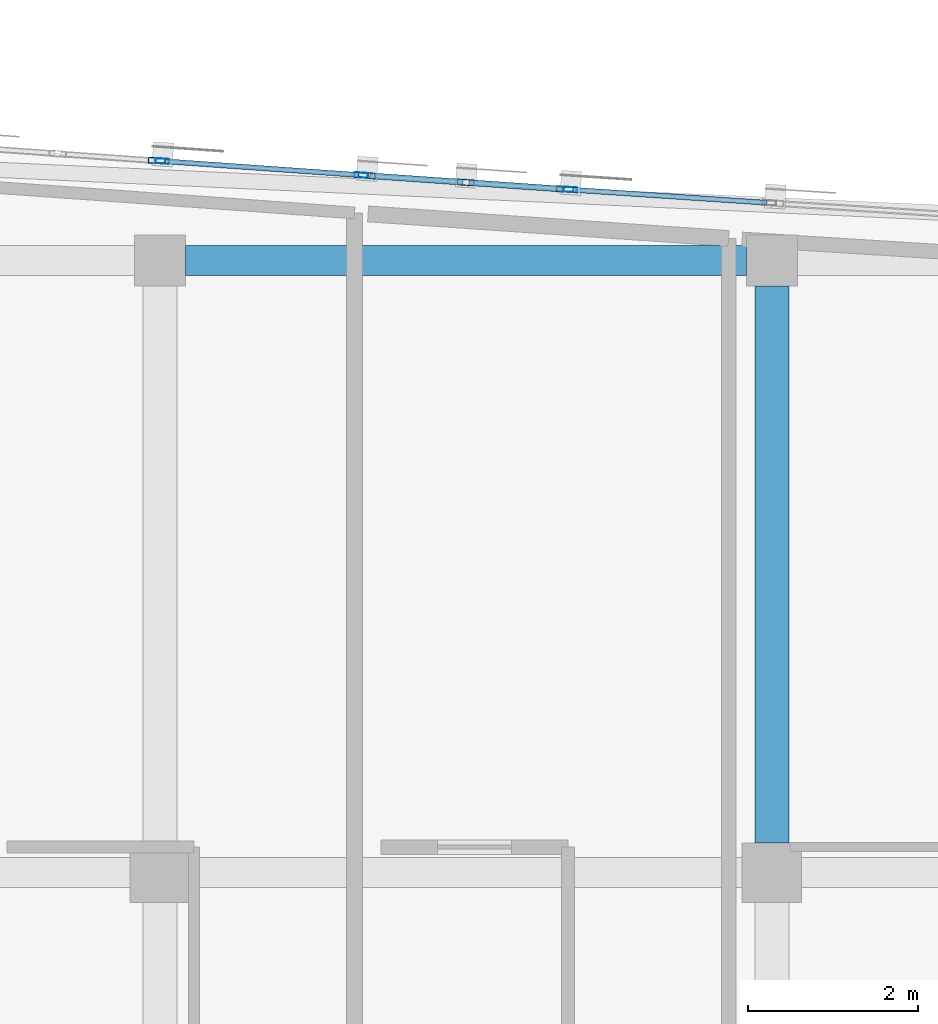
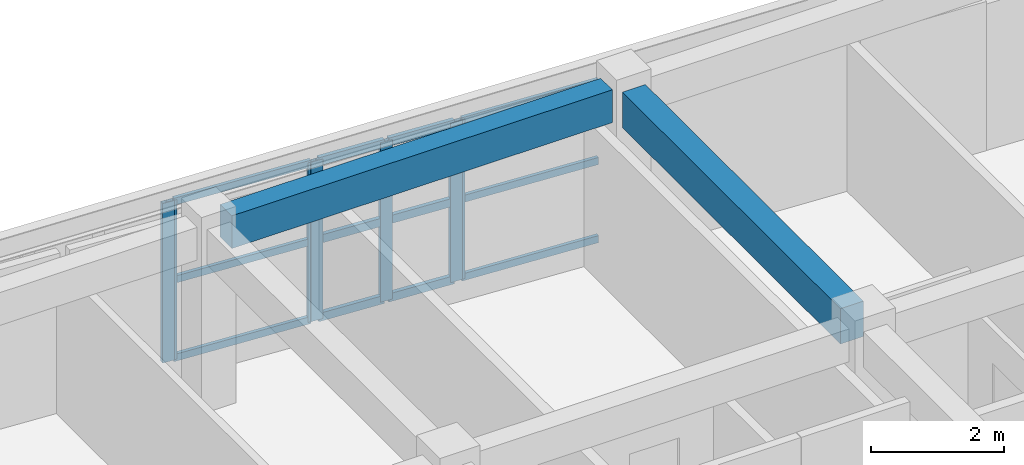
# One storey, part 26 of 48: 19 members, 2 beams, 4 elements without a shape of their own.
"""IFC4 building model written with IfcOpenShell, lengths in metres."""

from ifc_helpers import new_model, si_unit, direction, frame, origin, origin_2d, place, context, subcontext, project, spatial, rectangle, hollow_rectangle, extrude, material, layer, layer_set, material_profile, profile_set, type_object, element, aggregate, save


model = new_model("IFC4")

# Units and contexts
model_context = context("Model", 3, precision=1e-05, world=origin(), true_north=direction((0.0, 1.0)))
body_context = subcontext(model_context, "Body", "Model", "MODEL_VIEW")
ifc_project = project(units=[si_unit("LENGTHUNIT", "METRE"), si_unit("AREAUNIT", "SQUARE_METRE"), si_unit("VOLUMEUNIT", "CUBIC_METRE"), si_unit("PLANEANGLEUNIT", "RADIAN"), si_unit("MASSUNIT", "GRAM", prefix="KILO")], contexts=[model_context])

# Site, building, storey
site_placement = place(None, origin())
site = spatial("IfcSite", under=ifc_project, at=site_placement, CompositionType="ELEMENT")
building_placement = place(site_placement, origin())
building = spatial("IfcBuilding", under=site, at=building_placement, Name="Carrowvane Square Congress Hotel", CompositionType="ELEMENT")
storey_placement = place(building_placement, frame((0.0, 0.0, 26.39990234375)))
storey = spatial("IfcBuildingStorey", under=building, at=storey_placement, Name="L06", CompositionType="ELEMENT", Elevation=26.39990234375)

# Beams
ifc_material_1 = material(Name="Concrete C35/45", Category="concrete")
ifc_material_profile_1 = material_profile(ifc_material_1, rectangle(XDim=0.35009765625, YDim=0.60009765625, at=origin_2d()), Name="RC 350x600")
ifc_profile_set_1 = profile_set([ifc_material_profile_1], Name="Concrete C35/45")
beam_type_1 = type_object("IfcBeamType", Name="BM-RC-350x600", PredefinedType="BEAM", material=ifc_profile_set_1)
beam_1_placement = place(storey_placement, frame((141.5, 113.39990234375, 3.050048828125), z_axis=(1.0, 0.0, 0.0), x_axis=(0.0, 1.0, 0.0)))
element("IfcBeam", 1, at=beam_1_placement, inside=storey, type_object=beam_type_1, Name="L07 girder R/19-20", PredefinedType="BEAM", context=body_context, shape_type="SweptSolid", body=[
    extrude(rectangle(XDim=0.35009765625, YDim=0.60009765625, at=origin_2d()), origin(), (0.0, 0.0, 1.0), 6.60009765625),
])
ifc_material_2 = material(Name="Concrete C35/45", Category="concrete")
ifc_material_profile_2 = material_profile(ifc_material_2, rectangle(XDim=0.39990234375, YDim=0.64990234375, at=origin_2d()), Name="RC 400x650")
ifc_profile_set_2 = profile_set([ifc_material_profile_2], Name="Concrete C35/45")
beam_type_2 = type_object("IfcBeamType", Name="BM-RC-400x650", PredefinedType="BEAM", material=ifc_profile_set_2)
beam_2_placement = place(storey_placement, frame((148.39990234375, 106.550048828125, 3.025146484375), z_axis=(0.0, 1.0, 0.0), x_axis=(-1.0, 0.0, 0.0)))
element("IfcBeam", 2, at=beam_2_placement, inside=storey, type_object=beam_type_2, Name="L07 girder 20/Q-R", PredefinedType="BEAM", context=body_context, shape_type="SweptSolid", body=[
    extrude(rectangle(XDim=0.39990234375, YDim=0.64990234375, at=origin_2d()), origin(), (0.0, 0.0, 1.0), 6.550048828125),
])

# Curtain wall, members
ifc_material_3 = material(Name="Anodised aluminium", Category="aluminium")
ifc_layer_1 = layer(ifc_material_3, 0.162109375)
ifc_layer_set_1 = layer_set([ifc_layer_1], Name="Anodised aluminium")
curtain_wall_type_1 = type_object("IfcCurtainWallType", Name="CW-SYS-1", PredefinedType="NOTDEFINED", material=ifc_layer_set_1)
curtain_wall_1_placement = place(storey_placement, origin())
curtain_wall_1 = element("IfcCurtainWall", 3, at=curtain_wall_1_placement, inside=storey, type_object=curtain_wall_type_1, Name="L06 unitised curtain wall 400", PredefinedType="NOTDEFINED")
ifc_material_4 = material(Name="Anodised aluminium", Category="aluminium")
ifc_material_profile_3 = material_profile(ifc_material_4, hollow_rectangle(XDim=0.06005859375, YDim=0.159912109375, WallThickness=0.00390625, at=origin_2d()), Name="CW-ML 60x160x4")
ifc_profile_set_3 = profile_set([ifc_material_profile_3], Name="Anodised aluminium")
member_type_1 = type_object("IfcMemberType", Name="CW-MUL-1", PredefinedType="MULLION", material=ifc_profile_set_3)
member_1_placement = place(storey_placement, frame((141.22998046875, 114.569091796875, 0.0), z_axis=(0.0, 0.0, 1.0), x_axis=(0.070585996942, 0.997505697746, 0.0)))
member_1 = element("IfcMember", 4, at=member_1_placement, type_object=member_type_1, Name="CW-1 mullion 1", PredefinedType="MULLION", context=body_context, shape_type="SweptSolid", body=[
    extrude(hollow_rectangle(XDim=0.06005859375, YDim=0.159912109375, WallThickness=0.00390625, at=origin_2d()), origin(), (0.0, 0.0, 1.0), 2.92578125),
])
member_2_placement = place(storey_placement, frame((143.570068359375, 114.403564453125, 0.0), z_axis=(0.0, 0.0, 1.0), x_axis=(0.070585996942, 0.997505697746, 0.0)))
member_2 = element("IfcMember", 5, at=member_2_placement, type_object=member_type_1, Name="CW-1 mullion 2", PredefinedType="MULLION", context=body_context, shape_type="SweptSolid", body=[
    extrude(hollow_rectangle(XDim=0.06005859375, YDim=0.159912109375, WallThickness=0.00390625, at=origin_2d()), origin(), (0.0, 0.0, 1.0), 2.92578125),
])

# Curtain wall, member
ifc_material_5 = material(Name="Anodised aluminium", Category="aluminium")
ifc_layer_2 = layer(ifc_material_5, 0.18603515625)
ifc_layer_set_2 = layer_set([ifc_layer_2], Name="Anodised aluminium")
curtain_wall_type_2 = type_object("IfcCurtainWallType", Name="CW-SYS-3", PredefinedType="NOTDEFINED", material=ifc_layer_set_2)
curtain_wall_2_placement = place(storey_placement, origin())
curtain_wall_2 = element("IfcCurtainWall", 6, at=curtain_wall_2_placement, inside=storey, type_object=curtain_wall_type_2, Name="L06 unitised curtain wall 402", PredefinedType="NOTDEFINED")
member_3_placement = place(storey_placement, frame((146.030029296875, 114.2333984375, 0.0), z_axis=(0.0, 0.0, 1.0), x_axis=(0.06657392244, 0.997781495544, 0.0)))
member_3 = element("IfcMember", 7, at=member_3_placement, type_object=member_type_1, Name="CW-3 mullion 1", PredefinedType="MULLION", context=body_context, shape_type="SweptSolid", body=[
    extrude(hollow_rectangle(XDim=0.06005859375, YDim=0.159912109375, WallThickness=0.00390625, at=origin_2d()), origin(), (0.0, 0.0, 1.0), 2.92578125),
])

ifc_material_6 = material(Name="Anodised aluminium", Category="aluminium")
ifc_layer_3 = layer(ifc_material_6, 0.24609375)
ifc_layer_set_3 = layer_set([ifc_layer_3], Name="Anodised aluminium")
curtain_wall_type_3 = type_object("IfcCurtainWallType", Name="CW-SYS-8", PredefinedType="NOTDEFINED", material=ifc_layer_set_3)
curtain_wall_3_placement = place(storey_placement, origin())
curtain_wall_3 = element("IfcCurtainWall", 8, at=curtain_wall_3_placement, inside=storey, type_object=curtain_wall_type_3, Name="L06 unitised curtain wall 399", PredefinedType="NOTDEFINED")
ifc_material_7 = material(Name="Anodised aluminium", Category="aluminium")
ifc_material_profile_4 = material_profile(ifc_material_7, hollow_rectangle(XDim=0.070068359375, YDim=0.199951171875, WallThickness=0.0048828125, at=origin_2d()), Name="CW-ML 70x200x5")
ifc_profile_set_4 = profile_set([ifc_material_profile_4], Name="Anodised aluminium")
member_type_2 = type_object("IfcMemberType", Name="CW-MUL-2", PredefinedType="MULLION", material=ifc_profile_set_4)
member_4_placement = place(storey_placement, frame((141.1650390625, 114.57373046875, 0.0), z_axis=(0.0, 0.0, 1.0), x_axis=(0.071422490945, 0.997446152826, 0.0)))
member_4 = element("IfcMember", 9, at=member_4_placement, type_object=member_type_2, Name="CW-8 mullion 3", PredefinedType="MULLION", context=body_context, shape_type="SweptSolid", body=[
    extrude(hollow_rectangle(XDim=0.070068359375, YDim=0.199951171875, WallThickness=0.0048828125, at=origin_2d()), origin(), (0.0, 0.0, 1.0), 2.92578125),
])
aggregate(curtain_wall_3, [member_4])

# Curtain wall, members
ifc_material_8 = material(Name="Anodised aluminium", Category="aluminium")
ifc_layer_4 = layer(ifc_material_8, 0.174072265625)
ifc_layer_set_4 = layer_set([ifc_layer_4], Name="Anodised aluminium")
curtain_wall_type_4 = type_object("IfcCurtainWallType", Name="CW-SYS-2", PredefinedType="NOTDEFINED", material=ifc_layer_set_4)
curtain_wall_4_placement = place(storey_placement, origin())
curtain_wall_4 = element("IfcCurtainWall", 10, at=curtain_wall_4_placement, inside=storey, type_object=curtain_wall_type_4, Name="L06 unitised curtain wall 401", PredefinedType="NOTDEFINED")
member_5_placement = place(storey_placement, frame((143.635009765625, 114.39892578125, 0.0), z_axis=(0.0, 0.0, 1.0), x_axis=(0.068986120725, 0.997617619706, 0.0)))
member_5 = element("IfcMember", 11, at=member_5_placement, type_object=member_type_2, Name="CW-2 mullion 1", PredefinedType="MULLION", context=body_context, shape_type="SweptSolid", body=[
    extrude(hollow_rectangle(XDim=0.070068359375, YDim=0.199951171875, WallThickness=0.0048828125, at=origin_2d()), origin(), (0.0, 0.0, 1.0), 2.92578125),
])
member_6_placement = place(storey_placement, frame((144.800048828125, 114.318359375, 0.0), z_axis=(0.0, 0.0, 1.0), x_axis=(0.068986120725, 0.997617619706, 0.0)))
member_6 = element("IfcMember", 12, at=member_6_placement, type_object=member_type_2, Name="CW-2 mullion 2", PredefinedType="MULLION", context=body_context, shape_type="SweptSolid", body=[
    extrude(hollow_rectangle(XDim=0.070068359375, YDim=0.199951171875, WallThickness=0.0048828125, at=origin_2d()), origin(), (0.0, 0.0, 1.0), 2.92578125),
])
member_7_placement = place(storey_placement, frame((145.965087890625, 114.23779296875, 0.0), z_axis=(0.0, 0.0, 1.0), x_axis=(0.068986120725, 0.997617619706, 0.0)))
member_7 = element("IfcMember", 13, at=member_7_placement, type_object=member_type_2, Name="CW-2 mullion 3", PredefinedType="MULLION", context=body_context, shape_type="SweptSolid", body=[
    extrude(hollow_rectangle(XDim=0.070068359375, YDim=0.199951171875, WallThickness=0.0048828125, at=origin_2d()), origin(), (0.0, 0.0, 1.0), 2.92578125),
])

# Member
ifc_material_9 = material(Name="Anodised aluminium", Category="aluminium")
ifc_material_profile_5 = material_profile(ifc_material_9, hollow_rectangle(XDim=0.06005859375, YDim=0.1298828125, WallThickness=0.00390625, at=origin_2d()), Name="CW-TR 60x130x4")
ifc_profile_set_5 = profile_set([ifc_material_profile_5], Name="Anodised aluminium")
member_type_3 = type_object("IfcMemberType", Name="CW-TRN-1", PredefinedType="USERDEFINED", material=ifc_profile_set_5)
member_8_placement = place(storey_placement, frame((141.259765625, 114.567138671875, 0.030029296875), z_axis=(0.997505109293, -0.070594312339, 0.0), x_axis=(0.070594312339, 0.997505109293, 0.0)))
member_8 = element("IfcMember", 14, at=member_8_placement, type_object=member_type_3, Name="CW-1 transom 1.1", ObjectType="TRANSOM", PredefinedType="USERDEFINED", context=body_context, shape_type="SweptSolid", body=[
    extrude(hollow_rectangle(XDim=0.06005859375, YDim=0.1298828125, WallThickness=0.00390625, at=origin_2d()), origin(), (0.0, 0.0, 1.0), 2.285888671875),
])

member_9_placement = place(storey_placement, frame((141.259765625, 114.567138671875, 1.462890625), z_axis=(0.997505109293, -0.070594312339, 0.0), x_axis=(0.070594312339, 0.997505109293, 0.0)))
member_9 = element("IfcMember", 15, at=member_9_placement, type_object=member_type_3, Name="CW-1 transom 1.2", ObjectType="TRANSOM", PredefinedType="USERDEFINED", context=body_context, shape_type="SweptSolid", body=[
    extrude(hollow_rectangle(XDim=0.06005859375, YDim=0.1298828125, WallThickness=0.00390625, at=origin_2d()), origin(), (0.0, 0.0, 1.0), 2.285888671875),
])

member_10_placement = place(storey_placement, frame((141.259765625, 114.567138671875, 2.895751953125), z_axis=(0.997505109293, -0.070594312339, 0.0), x_axis=(0.070594312339, 0.997505109293, 0.0)))
member_10 = element("IfcMember", 16, at=member_10_placement, type_object=member_type_3, Name="CW-1 transom 1.3", ObjectType="TRANSOM", PredefinedType="USERDEFINED", context=body_context, shape_type="SweptSolid", body=[
    extrude(hollow_rectangle(XDim=0.06005859375, YDim=0.1298828125, WallThickness=0.00390625, at=origin_2d()), origin(), (0.0, 0.0, 1.0), 2.285888671875),
])

aggregate(curtain_wall_1, [member_1, member_2, member_8, member_9, member_10])

member_11_placement = place(storey_placement, frame((146.059814453125, 114.2314453125, 0.030029296875), z_axis=(0.997782793753, -0.066554462581, 0.0), x_axis=(0.066554462581, 0.997782793753, 0.0)))
member_11 = element("IfcMember", 17, at=member_11_placement, type_object=member_type_3, Name="CW-3 transom 1.1", ObjectType="TRANSOM", PredefinedType="USERDEFINED", context=body_context, shape_type="SweptSolid", body=[
    extrude(hollow_rectangle(XDim=0.06005859375, YDim=0.1298828125, WallThickness=0.00390625, at=origin_2d()), origin(), (0.0, 0.0, 1.0), 2.285400390625),
])

member_12_placement = place(storey_placement, frame((146.059814453125, 114.2314453125, 1.462890625), z_axis=(0.997782793753, -0.066554462581, 0.0), x_axis=(0.066554462581, 0.997782793753, 0.0)))
member_12 = element("IfcMember", 18, at=member_12_placement, type_object=member_type_3, Name="CW-3 transom 1.2", ObjectType="TRANSOM", PredefinedType="USERDEFINED", context=body_context, shape_type="SweptSolid", body=[
    extrude(hollow_rectangle(XDim=0.06005859375, YDim=0.1298828125, WallThickness=0.00390625, at=origin_2d()), origin(), (0.0, 0.0, 1.0), 2.285400390625),
])

member_13_placement = place(storey_placement, frame((146.059814453125, 114.2314453125, 2.895751953125), z_axis=(0.997782793753, -0.066554462581, 0.0), x_axis=(0.066554462581, 0.997782793753, 0.0)))
member_13 = element("IfcMember", 19, at=member_13_placement, type_object=member_type_3, Name="CW-3 transom 1.3", ObjectType="TRANSOM", PredefinedType="USERDEFINED", context=body_context, shape_type="SweptSolid", body=[
    extrude(hollow_rectangle(XDim=0.06005859375, YDim=0.1298828125, WallThickness=0.00390625, at=origin_2d()), origin(), (0.0, 0.0, 1.0), 2.285400390625),
])

aggregate(curtain_wall_2, [member_3, member_11, member_12, member_13])

ifc_material_10 = material(Name="Anodised aluminium", Category="aluminium")
ifc_material_profile_6 = material_profile(ifc_material_10, hollow_rectangle(XDim=0.070068359375, YDim=0.14990234375, WallThickness=0.0048828125, at=origin_2d()), Name="CW-TR 70x150x5")
ifc_profile_set_6 = profile_set([ifc_material_profile_6], Name="Anodised aluminium")
member_type_4 = type_object("IfcMemberType", Name="CW-TRN-2", PredefinedType="USERDEFINED", material=ifc_profile_set_6)
member_14_placement = place(storey_placement, frame((143.669921875, 114.396728515625, 0.03515625), z_axis=(0.997605525586, -0.069160793236, 0.0), x_axis=(0.069160793236, 0.997605525586, 0.0)))
member_14 = element("IfcMember", 20, at=member_14_placement, type_object=member_type_4, Name="CW-2 transom 1.1", ObjectType="TRANSOM", PredefinedType="USERDEFINED", context=body_context, shape_type="SweptSolid", body=[
    extrude(hollow_rectangle(XDim=0.070068359375, YDim=0.14990234375, WallThickness=0.0048828125, at=origin_2d()), origin(), (0.0, 0.0, 1.0), 1.097900390625),
])

member_15_placement = place(storey_placement, frame((143.669921875, 114.396728515625, 1.462890625), z_axis=(0.997605525586, -0.069160793236, 0.0), x_axis=(0.069160793236, 0.997605525586, 0.0)))
member_15 = element("IfcMember", 21, at=member_15_placement, type_object=member_type_4, Name="CW-2 transom 1.2", ObjectType="TRANSOM", PredefinedType="USERDEFINED", context=body_context, shape_type="SweptSolid", body=[
    extrude(hollow_rectangle(XDim=0.070068359375, YDim=0.14990234375, WallThickness=0.0048828125, at=origin_2d()), origin(), (0.0, 0.0, 1.0), 1.097900390625),
])

member_16_placement = place(storey_placement, frame((143.669921875, 114.396728515625, 2.890625), z_axis=(0.997605525586, -0.069160793236, 0.0), x_axis=(0.069160793236, 0.997605525586, 0.0)))
member_16 = element("IfcMember", 22, at=member_16_placement, type_object=member_type_4, Name="CW-2 transom 1.3", ObjectType="TRANSOM", PredefinedType="USERDEFINED", context=body_context, shape_type="SweptSolid", body=[
    extrude(hollow_rectangle(XDim=0.070068359375, YDim=0.14990234375, WallThickness=0.0048828125, at=origin_2d()), origin(), (0.0, 0.0, 1.0), 1.097900390625),
])

member_17_placement = place(storey_placement, frame((144.8349609375, 114.316162109375, 0.03515625), z_axis=(0.997605525586, -0.069160793236, 0.0), x_axis=(0.069160793236, 0.997605525586, 0.0)))
member_17 = element("IfcMember", 23, at=member_17_placement, type_object=member_type_4, Name="CW-2 transom 2.1", ObjectType="TRANSOM", PredefinedType="USERDEFINED", context=body_context, shape_type="SweptSolid", body=[
    extrude(hollow_rectangle(XDim=0.070068359375, YDim=0.14990234375, WallThickness=0.0048828125, at=origin_2d()), origin(), (0.0, 0.0, 1.0), 1.097900390625),
])

member_18_placement = place(storey_placement, frame((144.8349609375, 114.316162109375, 1.462890625), z_axis=(0.997605525586, -0.069160793236, 0.0), x_axis=(0.069160793236, 0.997605525586, 0.0)))
member_18 = element("IfcMember", 24, at=member_18_placement, type_object=member_type_4, Name="CW-2 transom 2.2", ObjectType="TRANSOM", PredefinedType="USERDEFINED", context=body_context, shape_type="SweptSolid", body=[
    extrude(hollow_rectangle(XDim=0.070068359375, YDim=0.14990234375, WallThickness=0.0048828125, at=origin_2d()), origin(), (0.0, 0.0, 1.0), 1.097900390625),
])

member_19_placement = place(storey_placement, frame((144.8349609375, 114.316162109375, 2.890625), z_axis=(0.997605525586, -0.069160793236, 0.0), x_axis=(0.069160793236, 0.997605525586, 0.0)))
member_19 = element("IfcMember", 25, at=member_19_placement, type_object=member_type_4, Name="CW-2 transom 2.3", ObjectType="TRANSOM", PredefinedType="USERDEFINED", context=body_context, shape_type="SweptSolid", body=[
    extrude(hollow_rectangle(XDim=0.070068359375, YDim=0.14990234375, WallThickness=0.0048828125, at=origin_2d()), origin(), (0.0, 0.0, 1.0), 1.097900390625),
])

aggregate(curtain_wall_4, [member_5, member_6, member_7, member_14, member_15, member_16, member_17, member_18, member_19])

save(model, "model.ifc")
